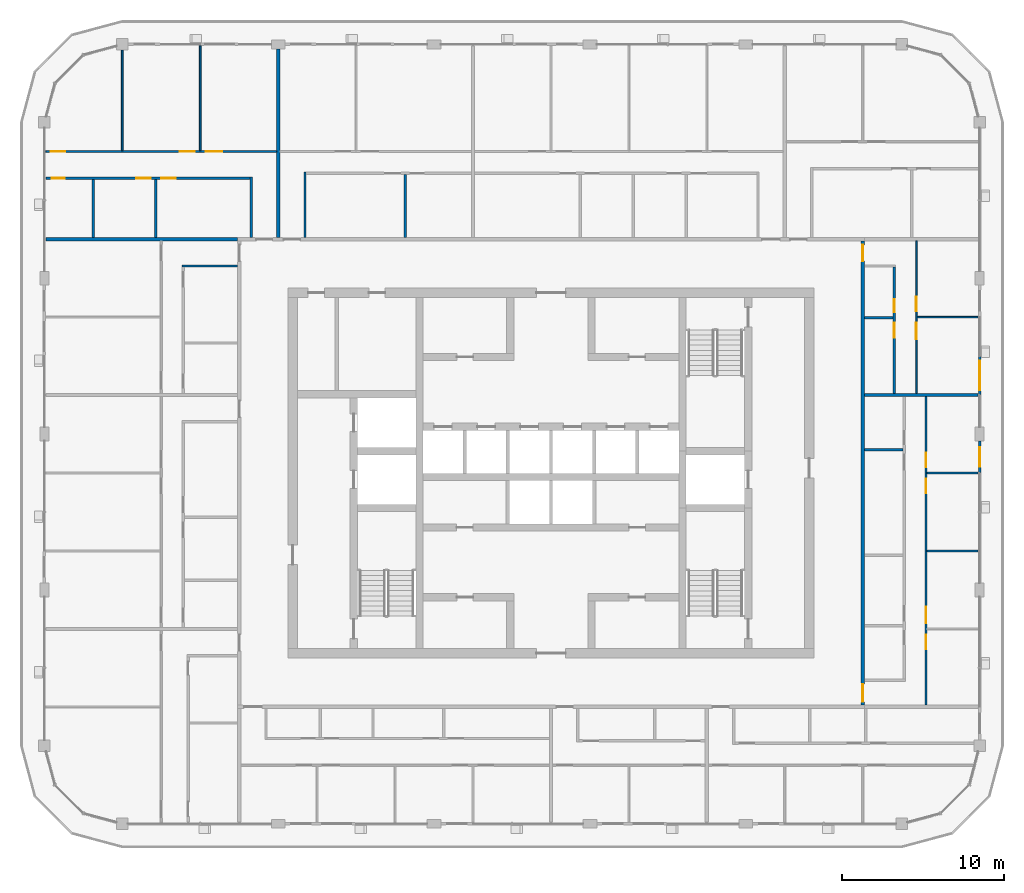
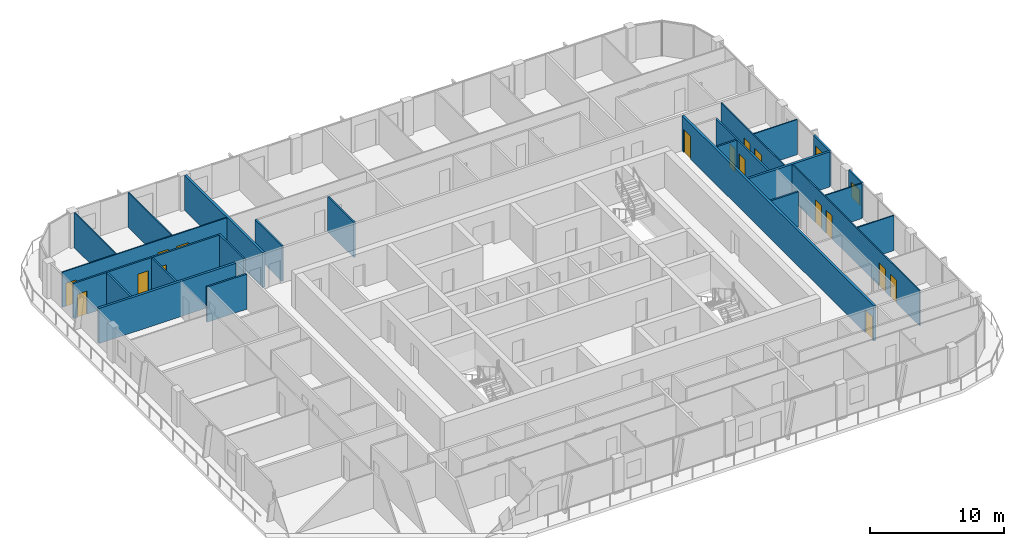
# One storey, part 13 of 21: 24 walls, 17 doors, 1 window, 18 openings.
"""IFC4 building model written with IfcOpenShell, lengths in metres."""

import ifcopenshell
import ifcopenshell.guid

model = None  # the IFC model being written
_history = None  # IfcOwnerHistory: only IFC2X3 demands one
_inside = {}  # id of a spatial element -> (the spatial element, [elements in it])
_under = {}  # id of a project, library or spatial element -> (it, [spatial elements below it])
_declared = {}  # id of a project -> (the project, [libraries it declares])
_typed = {}  # id of a type object -> (the type object, [elements of that type])
_made_of = {}  # id of a material, layer set ... -> (it, [elements and type objects made of it])


def new_model(schema):
    """Start an empty IFC model of exactly this schema.

    Asked for "IFC4X3", IfcOpenShell would pick the latest addendum, in which some entities
    have other attributes; the version numbers below select the first issue.
    IFC2X3 requires an IfcOwnerHistory on every rooted entity: one is made here for all.
    """
    global model, _history
    if schema == "IFC4X3":
        model = ifcopenshell.file(schema_version=(4, 3, 0, 0))
    else:
        model = ifcopenshell.file(schema=schema)
    _inside.clear()
    _under.clear()
    _declared.clear()
    _typed.clear()
    _made_of.clear()
    _history = None
    if model.schema == "IFC2X3":
        org = make("IfcOrganization", Name="unknown")
        user = make(
            "IfcPersonAndOrganization",
            ThePerson=make("IfcPerson", FamilyName="unknown"),
            TheOrganization=org,
        )
        app = make(
            "IfcApplication",
            ApplicationDeveloper=org,
            Version="unknown",
            ApplicationFullName="unknown",
            ApplicationIdentifier="unknown",
        )
        _history = make(
            "IfcOwnerHistory",
            OwningUser=user,
            OwningApplication=app,
            ChangeAction="ADDED",
            CreationDate=0,
        )
    return model


def make(cls, **values):
    """One entity of the class cls with the attributes given. An attribute that is None is left unset."""
    return model.create_entity(
        cls, **{name: value for name, value in values.items() if value is not None}
    )


def rooted(cls, **values):
    """An entity with a GlobalId (a new one), such as an element, a storey or a relation."""
    return make(cls, GlobalId=ifcopenshell.guid.new(), OwnerHistory=_history, **values)


def si_unit(unit_type, name, prefix=None):
    """IfcSIUnit, for example si_unit("LENGTHUNIT", "METRE", prefix="MILLI")."""
    return make("IfcSIUnit", UnitType=unit_type, Prefix=prefix, Name=name)


def assignment(units):
    """IfcUnitAssignment: the units of a project."""
    return None if units is None else make("IfcUnitAssignment", Units=units)


def point(xyz):
    """IfcCartesianPoint."""
    return None if xyz is None else make("IfcCartesianPoint", Coordinates=xyz)


def direction(xyz):
    """IfcDirection."""
    return None if xyz is None else make("IfcDirection", DirectionRatios=xyz)


def frame(location, z_axis=None, x_axis=None):
    """IfcAxis2Placement3D, a coordinate frame: its origin and axes. An axis left out is left unset."""
    return make(
        "IfcAxis2Placement3D",
        Location=point(location),
        Axis=direction(z_axis),
        RefDirection=direction(x_axis),
    )


def frame_2d(location, x_axis=None):
    """IfcAxis2Placement2D, a coordinate frame in the plane: its origin and x axis."""
    return make(
        "IfcAxis2Placement2D", Location=point(location), RefDirection=direction(x_axis)
    )


def origin():
    """The frame at (0, 0, 0) with its axes left unset."""
    return frame((0.0, 0.0, 0.0))


def place(relative_to, where):
    """IfcLocalPlacement: puts the frame where relative to a parent placement (None: the world)."""
    return make(
        "IfcLocalPlacement", PlacementRelTo=relative_to, RelativePlacement=where
    )


def context(
    kind, dimensions, precision=None, world=None, true_north=None, identifier=None
):
    """IfcGeometricRepresentationContext, for example the 3D "Model" context."""
    return make(
        "IfcGeometricRepresentationContext",
        ContextIdentifier=identifier,
        ContextType=kind,
        CoordinateSpaceDimension=dimensions,
        Precision=precision,
        WorldCoordinateSystem=world,
        TrueNorth=true_north,
    )


def subcontext(parent, identifier, kind, view, scale=None):
    """IfcGeometricRepresentationSubContext, for example "Body" below "Model"."""
    return make(
        "IfcGeometricRepresentationSubContext",
        ContextIdentifier=identifier,
        ContextType=kind,
        ParentContext=parent,
        TargetScale=scale,
        TargetView=view,
    )


def project(units=None, contexts=None):
    """IfcProject with its units and contexts."""
    return rooted(
        "IfcProject",
        Name="project",
        RepresentationContexts=contexts,
        UnitsInContext=assignment(units),
    )


def spatial(cls, under=None, at=None, **own):
    """A site, building, storey or space (cls), placed at a placement, below another one or the project."""
    s = rooted(cls, ObjectPlacement=at, **own)
    if under is not None:
        _under.setdefault(under.id(), (under, []))[1].append(s)
    return s


def profile(cls, at=None, kind="AREA", **sizes):
    """A parametric profile (cls). Its sizes go by their IFC names, for example OverallWidth=200.0."""
    return make(cls, ProfileType=kind, Position=at, **sizes)


def rectangle(**sizes):
    """IfcRectangleProfileDef."""
    return profile("IfcRectangleProfileDef", **sizes)


def extrude(swept, where, along, depth):
    """IfcExtrudedAreaSolid: the profile swept, set in the frame where, extruded along a direction by depth."""
    return make(
        "IfcExtrudedAreaSolid",
        SweptArea=swept,
        Position=where,
        ExtrudedDirection=direction(along),
        Depth=depth,
    )


def shape(context_of_items, identifier, shape_type, items):
    """IfcShapeRepresentation: the items that make up one representation, for example the "Body"."""
    return make(
        "IfcShapeRepresentation",
        ContextOfItems=context_of_items,
        RepresentationIdentifier=identifier,
        RepresentationType=shape_type,
        Items=items,
    )


def material(Name=None, Category=None):
    """IfcMaterial."""
    return make("IfcMaterial", Name=Name, Category=Category)


def layer(
    of_material, thickness, ventilated=None, Name=None, Category=None, Priority=None
):
    """IfcMaterialLayer: one layer of a wall or slab, of a material (None: an air gap)."""
    return make(
        "IfcMaterialLayer",
        Material=of_material,
        LayerThickness=thickness,
        IsVentilated=ventilated,
        Name=Name,
        Category=Category,
        Priority=Priority,
    )


def layer_set(layers, Name=None):
    """IfcMaterialLayerSet."""
    return make("IfcMaterialLayerSet", MaterialLayers=layers, LayerSetName=Name)


def made_of(thing, what):
    """Note that an element or type object is made of a material, layer set ...; save() writes the relation."""
    if what is not None:
        _made_of.setdefault(what.id(), (what, []))[1].append(thing)
    return thing


def type_object(cls, material=None, **own):
    """A type object (cls), such as IfcWallType, which elements share."""
    return made_of(rooted(cls, **own), material)


def element(
    cls,
    number,
    at=None,
    inside=None,
    cuts=None,
    type_object=None,
    material=None,
    context=None,
    identifier="Body",
    shape_type=None,
    held_by="IfcProductDefinitionShape",
    body=None,
    shapes=None,
    **own,
):
    """One element of the class cls, such as IfcWall. Its Tag is "e" and its number.

    at: its placement. inside: the storey or other place that contains it. cuts: it is an
    opening in that element (IfcRelVoidsElement). A single representation is given by context,
    identifier, shape_type and body (its items); several are given by shapes. held_by: the class
    of the entity that holds the representations. save() writes the other relations.
    """
    e = rooted(cls, Tag="e%d" % number, ObjectPlacement=at, **own)
    if body is not None:
        shapes = [shape(context, identifier, shape_type, body)]
    if shapes is not None:
        e.Representation = make(held_by, Representations=shapes)
    if inside is not None:
        _inside.setdefault(inside.id(), (inside, []))[1].append(e)
    if cuts is not None:
        rooted(
            "IfcRelVoidsElement", RelatingBuildingElement=cuts, RelatedOpeningElement=e
        )
    if type_object is not None:
        _typed.setdefault(type_object.id(), (type_object, []))[1].append(e)
    return made_of(e, material)


def fill(opening, filler):
    """IfcRelFillsElement: the door or window that sits in an opening."""
    return rooted(
        "IfcRelFillsElement",
        RelatingOpeningElement=opening,
        RelatedBuildingElement=filler,
    )


def aggregate(whole, parts):
    """IfcRelAggregates: a whole, such as a stair, and the parts it consists of."""
    return rooted("IfcRelAggregates", RelatingObject=whole, RelatedObjects=parts)


def save(model, path):
    """Write the relations noted so far, then the file.

    IfcRelAggregates (storeys below a building ...), IfcRelContainedInSpatialStructure (elements
    in a storey), IfcRelDefinesByType, IfcRelAssociatesMaterial and IfcRelDeclares: one each for
    every whole, place, type object, material and project.
    """
    for whole, parts in _under.values():
        aggregate(whole, parts)
    for where, things in _inside.values():
        rooted(
            "IfcRelContainedInSpatialStructure",
            RelatedElements=things,
            RelatingStructure=where,
        )
    for kind, things in _typed.values():
        rooted("IfcRelDefinesByType", RelatedObjects=things, RelatingType=kind)
    for what, things in _made_of.values():
        rooted("IfcRelAssociatesMaterial", RelatedObjects=things, RelatingMaterial=what)
    for by, libraries in _declared.values():
        rooted("IfcRelDeclares", RelatingContext=by, RelatedDefinitions=libraries)
    model.write(path)


model = new_model("IFC4")

# Units and contexts
model_context = context("Model", 3, precision=1e-05, world=origin(), true_north=direction((0.0, 1.0)))
body_context = subcontext(model_context, "Body", "Model", "MODEL_VIEW")
ifc_project = project(units=[si_unit("LENGTHUNIT", "METRE"), si_unit("AREAUNIT", "SQUARE_METRE"), si_unit("VOLUMEUNIT", "CUBIC_METRE"), si_unit("PLANEANGLEUNIT", "RADIAN"), si_unit("MASSUNIT", "GRAM", prefix="KILO")], contexts=[model_context])

# Site, building, storey
site_placement = place(None, origin())
site = spatial("IfcSite", under=ifc_project, at=site_placement, CompositionType="ELEMENT")
building_placement = place(site_placement, origin())
building = spatial("IfcBuilding", under=site, at=building_placement, Name="Madar Terraces", CompositionType="ELEMENT")
storey_placement = place(building_placement, frame((0.0, 0.0, 242.199951171875)))
storey = spatial("IfcBuildingStorey", under=building, at=storey_placement, Name="L63", CompositionType="ELEMENT", Elevation=242.199951171875)

# Wall, opening, window
ifc_material_1 = material(Name="Aluminium composite panel, black, over insulated backing", Category="aluminium")
ifc_layer_1 = layer(ifc_material_1, 0.14990234375)
ifc_layer_set_1 = layer_set([ifc_layer_1], Name="Facade bay panel 150")
wall_type_1 = type_object("IfcWallType", Name="Facade bay panel 150", PredefinedType="SOLIDWALL", material=ifc_layer_set_1)
wall_1_placement = place(storey_placement, frame((57.60009765625, 26.39990234375, 0.0), z_axis=(0.0, 0.0, 1.0), x_axis=(0.0, 1.0, 0.0)))
wall_1 = element("IfcWall", 1, at=wall_1_placement, inside=storey, type_object=wall_type_1, Name="Facade bay panel", PredefinedType="SOLIDWALL", context=body_context, shape_type="SweptSolid", body=[
    extrude(rectangle(XDim=1.97509765625, YDim=0.14990234375, at=frame_2d((0.987548828125, 0.0))), origin(), (0.0, 0.0, 1.0), 3.199951171875),
])
opening_1_placement = place(wall_1_placement, frame((0.387451171875, 0.0, 0.89990234375)))
opening_1 = element("IfcOpeningElement", 2, at=opening_1_placement, cuts=wall_1, Name="Opening W1", PredefinedType="OPENING", context=body_context, shape_type="SweptSolid", body=[
    extrude(rectangle(XDim=1.199951171875, YDim=1.39990234375, at=frame_2d((0.60009765625, 0.699951171875))), frame((0.0, 0.0849609375, 0.0), z_axis=(0.0, -1.0, 0.0), x_axis=(1.0, 0.0, 0.0)), (0.0, 0.0, 1.0), 0.169921875),
])
ifc_material_2 = material(Name="Glass, clear, with black aluminium frame", Category="aluminium")
window_type = type_object("IfcWindowType", Name="Vent window 1200 x 1400", PartitioningType="SINGLE_PANEL", PredefinedType="WINDOW", material=ifc_material_2)
window_placement = place(opening_1_placement, origin())
window = element("IfcWindow", 3, at=window_placement, inside=storey, type_object=window_type, Name="Operable vent window", OverallHeight=1.39990234375, OverallWidth=1.199951171875, PartitioningType="SINGLE_PANEL", PredefinedType="WINDOW", context=body_context, shape_type="SweptSolid", body=[
    extrude(rectangle(XDim=1.199951171875, YDim=1.39990234375, at=frame_2d((0.60009765625, 0.699951171875))), frame((0.0, 0.030029296875, 0.0), z_axis=(0.0, -1.0, 0.0), x_axis=(1.0, 0.0, 0.0)), (0.0, 0.0, 1.0), 0.06005859375),
])
fill(opening_1, window)

# Wall, opening, door
wall_2_placement = place(storey_placement, frame((57.60009765625, 31.199951171875, 0.0), z_axis=(0.0, 0.0, 1.0), x_axis=(0.0, 1.0, 0.0)))
wall_2 = element("IfcWall", 4, at=wall_2_placement, inside=storey, type_object=wall_type_1, Name="Facade bay panel", PredefinedType="SOLIDWALL", context=body_context, shape_type="SweptSolid", body=[
    extrude(rectangle(XDim=2.400146484375, YDim=0.14990234375, at=frame_2d((1.2001953125, 0.0))), origin(), (0.0, 0.0, 1.0), 3.199951171875),
])
opening_2_placement = place(wall_2_placement, frame((0.300048828125, 0.0, 0.0)))
opening_2 = element("IfcOpeningElement", 5, at=opening_2_placement, cuts=wall_2, Name="Opening ED1", PredefinedType="OPENING", context=body_context, shape_type="SweptSolid", body=[
    extrude(rectangle(XDim=1.800048828125, YDim=2.39990234375, at=frame_2d((0.89990234375, 1.199951171875))), frame((0.0, 0.0849609375, 0.0), z_axis=(0.0, -1.0, 0.0), x_axis=(1.0, 0.0, 0.0)), (0.0, 0.0, 1.0), 0.169921875),
])
ifc_material_3 = material(Name="Glass, clear, with black aluminium frame", Category="aluminium")
door_type_1 = type_object("IfcDoorType", Name="Balcony and terrace sliding door 1800 x 2400", OperationType="SLIDING_TO_LEFT", PredefinedType="DOOR", material=ifc_material_3)
door_1_placement = place(opening_2_placement, origin())
door_1 = element("IfcDoor", 6, at=door_1_placement, inside=storey, type_object=door_type_1, Name="Balcony door", OperationType="SLIDING_TO_LEFT", OverallHeight=2.39990234375, OverallWidth=1.800048828125, PredefinedType="DOOR", context=body_context, shape_type="SweptSolid", body=[
    extrude(rectangle(XDim=1.800048828125, YDim=2.39990234375, at=frame_2d((0.89990234375, 1.199951171875))), frame((0.0, 0.02490234375, 0.0), z_axis=(0.0, -1.0, 0.0), x_axis=(1.0, 0.0, 0.0)), (0.0, 0.0, 1.0), 0.050048828125),
])
fill(opening_2, door_1)

# Walls
ifc_material_4 = material(Name="Gypsum board on steel studs", Category="steel")
ifc_layer_2 = layer(ifc_material_4, 0.10009765625)
ifc_layer_set_2 = layer_set([ifc_layer_2], Name="Flat partition 100")
wall_type_2 = type_object("IfcWallType", Name="Flat partition 100", PredefinedType="PARTITIONING", material=ifc_layer_set_2)
for number, where, z_axis, x_axis, name in (
    (7, (54.35009765625, 21.60009765625, 0.0), (0.0, 0.0, 1.0), (1.0, 0.0, 0.0), "Flat partition 100"),
    (8, (54.35009765625, 26.39990234375, 0.0), (0.0, 0.0, 1.0), (1.0, 0.0, 0.0), "Flat partition 100"),
):
    element("IfcWall", number, at=place(storey_placement, frame(where, z_axis=z_axis, x_axis=x_axis)), inside=storey, type_object=wall_type_2, Name=name, PredefinedType="PARTITIONING", context=body_context, shape_type="SweptSolid", body=[
        extrude(rectangle(XDim=3.14990234375, YDim=0.10009765625, at=frame_2d((1.574951171875, 0.0))), origin(), (0.0, 0.0, 1.0), 3.199951171875),
    ])

# Wall, openings, doors
wall_3_placement = place(storey_placement, frame((54.300048828125, 31.10009765625, 0.0), z_axis=(0.0, 0.0, 1.0), x_axis=(0.0, -1.0, 0.0)))
wall_3 = element("IfcWall", 9, at=wall_3_placement, inside=storey, type_object=wall_type_2, Name="Flat partition 100", PredefinedType="PARTITIONING", context=body_context, shape_type="SweptSolid", body=[
    extrude(rectangle(XDim=19.0, YDim=0.10009765625, at=frame_2d((9.5, 0.0))), origin(), (0.0, 0.0, 1.0), 3.199951171875),
])
opening_3_placement = place(wall_3_placement, frame((14.64990234375, 0.0, 0.0)))
opening_3 = element("IfcOpeningElement", 10, at=opening_3_placement, cuts=wall_3, Name="Opening D2", PredefinedType="OPENING", context=body_context, shape_type="SweptSolid", body=[
    extrude(rectangle(XDim=0.89990234375, YDim=2.10009765625, at=frame_2d((0.449951171875, 1.050048828125))), frame((0.0, 0.06005859375, 0.0), z_axis=(0.0, -1.0, 0.0), x_axis=(1.0, 0.0, 0.0)), (0.0, 0.0, 1.0), 0.1201171875),
])
opening_4_placement = place(wall_3_placement, frame((12.949951171875, 0.0, 0.0)))
opening_4 = element("IfcOpeningElement", 11, at=opening_4_placement, cuts=wall_3, Name="Opening D3", PredefinedType="OPENING", context=body_context, shape_type="SweptSolid", body=[
    extrude(rectangle(XDim=1.0, YDim=2.10009765625, at=frame_2d((0.5, 1.050048828125))), frame((0.0, 0.06005859375, 0.0), z_axis=(0.0, -1.0, 0.0), x_axis=(1.0, 0.0, 0.0)), (0.0, 0.0, 1.0), 0.1201171875),
])
opening_5_placement = place(wall_3_placement, frame((5.050048828125, 0.0, 0.0)))
opening_5 = element("IfcOpeningElement", 12, at=opening_5_placement, cuts=wall_3, Name="Opening D2", PredefinedType="OPENING", context=body_context, shape_type="SweptSolid", body=[
    extrude(rectangle(XDim=0.89990234375, YDim=2.10009765625, at=frame_2d((0.449951171875, 1.050048828125))), frame((0.0, 0.06005859375, 0.0), z_axis=(0.0, -1.0, 0.0), x_axis=(1.0, 0.0, 0.0)), (0.0, 0.0, 1.0), 0.1201171875),
])
opening_6_placement = place(wall_3_placement, frame((3.449951171875, 0.0, 0.0)))
opening_6 = element("IfcOpeningElement", 13, at=opening_6_placement, cuts=wall_3, Name="Opening D2", PredefinedType="OPENING", context=body_context, shape_type="SweptSolid", body=[
    extrude(rectangle(XDim=0.89990234375, YDim=2.10009765625, at=frame_2d((0.449951171875, 1.050048828125))), frame((0.0, 0.06005859375, 0.0), z_axis=(0.0, -1.0, 0.0), x_axis=(1.0, 0.0, 0.0)), (0.0, 0.0, 1.0), 0.1201171875),
])
ifc_material_5 = material(Name="Timber door leaf", Category="wood")
door_type_2 = type_object("IfcDoorType", Name="Flat living room door 1000", OperationType="NOTDEFINED", PredefinedType="DOOR", material=ifc_material_5)
door_2_placement = place(opening_4_placement, origin())
door_2 = element("IfcDoor", 14, at=door_2_placement, inside=storey, type_object=door_type_2, Name="Flat living room door 1000", OperationType="SINGLE_SWING_RIGHT", OverallHeight=2.10009765625, OverallWidth=1.0, PredefinedType="DOOR", context=body_context, shape_type="SweptSolid", body=[
    extrude(rectangle(XDim=1.0, YDim=2.10009765625, at=frame_2d((0.5, 1.050048828125))), frame((0.0, 0.02490234375, 0.0), z_axis=(0.0, -1.0, 0.0), x_axis=(1.0, 0.0, 0.0)), (0.0, 0.0, 1.0), 0.050048828125),
])
fill(opening_4, door_2)
ifc_material_6 = material(Name="Timber door leaf", Category="wood")
door_type_3 = type_object("IfcDoorType", Name="Flat room door 900", OperationType="NOTDEFINED", PredefinedType="DOOR", material=ifc_material_6)
door_3_placement = place(opening_3_placement, origin())
door_3 = element("IfcDoor", 15, at=door_3_placement, inside=storey, type_object=door_type_3, Name="Flat room door 900", OperationType="SINGLE_SWING_LEFT", OverallHeight=2.10009765625, OverallWidth=0.89990234375, PredefinedType="DOOR", context=body_context, shape_type="SweptSolid", body=[
    extrude(rectangle(XDim=0.89990234375, YDim=2.10009765625, at=frame_2d((0.449951171875, 1.050048828125))), frame((0.0, 0.02490234375, 0.0), z_axis=(0.0, -1.0, 0.0), x_axis=(1.0, 0.0, 0.0)), (0.0, 0.0, 1.0), 0.050048828125),
])
fill(opening_3, door_3)
door_4_placement = place(opening_5_placement, origin())
door_4 = element("IfcDoor", 16, at=door_4_placement, inside=storey, type_object=door_type_3, Name="Flat room door 900", OperationType="SINGLE_SWING_LEFT", OverallHeight=2.10009765625, OverallWidth=0.89990234375, PredefinedType="DOOR", context=body_context, shape_type="SweptSolid", body=[
    extrude(rectangle(XDim=0.89990234375, YDim=2.10009765625, at=frame_2d((0.449951171875, 1.050048828125))), frame((0.0, 0.02490234375, 0.0), z_axis=(0.0, -1.0, 0.0), x_axis=(1.0, 0.0, 0.0)), (0.0, 0.0, 1.0), 0.050048828125),
])
fill(opening_5, door_4)
door_5_placement = place(opening_6_placement, origin())
door_5 = element("IfcDoor", 17, at=door_5_placement, inside=storey, type_object=door_type_3, Name="Flat room door 900", OperationType="SINGLE_SWING_RIGHT", OverallHeight=2.10009765625, OverallWidth=0.89990234375, PredefinedType="DOOR", context=body_context, shape_type="SweptSolid", body=[
    extrude(rectangle(XDim=0.89990234375, YDim=2.10009765625, at=frame_2d((0.449951171875, 1.050048828125))), frame((0.0, 0.02490234375, 0.0), z_axis=(0.0, -1.0, 0.0), x_axis=(1.0, 0.0, 0.0)), (0.0, 0.0, 1.0), 0.050048828125),
])
fill(opening_6, door_5)

# Wall
wall_4_placement = place(storey_placement, frame((53.75, 36.0, 0.0), z_axis=(0.0, 0.0, 1.0), x_axis=(1.0, 0.0, 0.0)))
element("IfcWall", 18, at=wall_4_placement, inside=storey, type_object=wall_type_2, Name="Flat partition 100", PredefinedType="PARTITIONING", context=body_context, shape_type="SweptSolid", body=[
    extrude(rectangle(XDim=3.75, YDim=0.10009765625, at=frame_2d((1.875, 0.0))), origin(), (0.0, 0.0, 1.0), 3.199951171875),
])

# Wall, openings, doors
wall_5_placement = place(storey_placement, frame((53.699951171875, 40.699951171875, 0.0), z_axis=(0.0, 0.0, 1.0), x_axis=(0.0, -1.0, 0.0)))
wall_5 = element("IfcWall", 19, at=wall_5_placement, inside=storey, type_object=wall_type_2, Name="Flat partition 100", PredefinedType="PARTITIONING", context=body_context, shape_type="SweptSolid", body=[
    extrude(rectangle(XDim=9.39990234375, YDim=0.10009765625, at=frame_2d((4.699951171875, 0.0))), origin(), (0.0, 0.0, 1.0), 3.199951171875),
])
opening_7_placement = place(wall_5_placement, frame((3.449951171875, 0.0, 0.0)))
opening_7 = element("IfcOpeningElement", 20, at=opening_7_placement, cuts=wall_5, Name="Opening D2", PredefinedType="OPENING", context=body_context, shape_type="SweptSolid", body=[
    extrude(rectangle(XDim=0.89990234375, YDim=2.10009765625, at=frame_2d((0.449951171875, 1.050048828125))), frame((0.0, 0.06005859375, 0.0), z_axis=(0.0, -1.0, 0.0), x_axis=(1.0, 0.0, 0.0)), (0.0, 0.0, 1.0), 0.1201171875),
])
opening_8_placement = place(wall_5_placement, frame((5.050048828125, 0.0, 0.0)))
opening_8 = element("IfcOpeningElement", 21, at=opening_8_placement, cuts=wall_5, Name="Opening D3", PredefinedType="OPENING", context=body_context, shape_type="SweptSolid", body=[
    extrude(rectangle(XDim=1.0, YDim=2.10009765625, at=frame_2d((0.5, 1.050048828125))), frame((0.0, 0.06005859375, 0.0), z_axis=(0.0, -1.0, 0.0), x_axis=(1.0, 0.0, 0.0)), (0.0, 0.0, 1.0), 0.1201171875),
])
door_6_placement = place(opening_8_placement, origin())
door_6 = element("IfcDoor", 22, at=door_6_placement, inside=storey, type_object=door_type_2, Name="Flat living room door 1000", OperationType="SINGLE_SWING_LEFT", OverallHeight=2.10009765625, OverallWidth=1.0, PredefinedType="DOOR", context=body_context, shape_type="SweptSolid", body=[
    extrude(rectangle(XDim=1.0, YDim=2.10009765625, at=frame_2d((0.5, 1.050048828125))), frame((0.0, 0.02490234375, 0.0), z_axis=(0.0, -1.0, 0.0), x_axis=(1.0, 0.0, 0.0)), (0.0, 0.0, 1.0), 0.050048828125),
])
fill(opening_8, door_6)
door_7_placement = place(opening_7_placement, origin())
door_7 = element("IfcDoor", 23, at=door_7_placement, inside=storey, type_object=door_type_3, Name="Flat room door 900", OperationType="SINGLE_SWING_RIGHT", OverallHeight=2.10009765625, OverallWidth=0.89990234375, PredefinedType="DOOR", context=body_context, shape_type="SweptSolid", body=[
    extrude(rectangle(XDim=0.89990234375, YDim=2.10009765625, at=frame_2d((0.449951171875, 1.050048828125))), frame((0.0, 0.02490234375, 0.0), z_axis=(0.0, -1.0, 0.0), x_axis=(1.0, 0.0, 0.0)), (0.0, 0.0, 1.0), 0.050048828125),
])
fill(opening_7, door_7)

# Walls
wall_6_placement = place(storey_placement, frame((9.60009765625, 46.25, 0.0), z_axis=(0.0, 0.0, 1.0), x_axis=(0.0, 1.0, 0.0)))
element("IfcWall", 24, at=wall_6_placement, inside=storey, type_object=wall_type_2, Name="Flat partition 100", PredefinedType="PARTITIONING", context=body_context, shape_type="SweptSolid", body=[
    extrude(rectangle(XDim=6.449951171875, YDim=0.10009765625, at=frame_2d((3.22509765625, 0.0))), origin(), (0.0, 0.0, 1.0), 3.199951171875),
])
wall_7_placement = place(storey_placement, frame((4.800048828125, 46.25, 0.0), z_axis=(0.0, 0.0, 1.0), x_axis=(0.0, 1.0, 0.0)))
element("IfcWall", 25, at=wall_7_placement, inside=storey, type_object=wall_type_2, Name="Flat partition 100", PredefinedType="PARTITIONING", context=body_context, shape_type="SweptSolid", body=[
    extrude(rectangle(XDim=6.199951171875, YDim=0.10009765625, at=frame_2d((3.10009765625, 0.0))), origin(), (0.0, 0.0, 1.0), 3.199951171875),
])

# Wall, openings, doors
wall_8_placement = place(storey_placement, frame((0.10009765625, 46.199951171875, 0.0), z_axis=(0.0, 0.0, 1.0), x_axis=(1.0, 0.0, 0.0)))
wall_8 = element("IfcWall", 26, at=wall_8_placement, inside=storey, type_object=wall_type_2, Name="Flat partition 100", PredefinedType="PARTITIONING", context=body_context, shape_type="SweptSolid", body=[
    extrude(rectangle(XDim=14.199951171875, YDim=0.10009765625, at=frame_2d((7.10009765625, 0.0))), origin(), (0.0, 0.0, 1.0), 3.199951171875),
])
opening_9_placement = place(wall_8_placement, frame((9.85009765625, 0.0, 0.0)))
opening_9 = element("IfcOpeningElement", 27, at=opening_9_placement, cuts=wall_8, Name="Opening D3", PredefinedType="OPENING", context=body_context, shape_type="SweptSolid", body=[
    extrude(rectangle(XDim=1.0, YDim=2.10009765625, at=frame_2d((0.5, 1.050048828125))), frame((0.0, 0.06005859375, 0.0), z_axis=(0.0, -1.0, 0.0), x_axis=(1.0, 0.0, 0.0)), (0.0, 0.0, 1.0), 0.1201171875),
])
opening_10_placement = place(wall_8_placement, frame((8.25, 0.0, 0.0)))
opening_10 = element("IfcOpeningElement", 28, at=opening_10_placement, cuts=wall_8, Name="Opening D2", PredefinedType="OPENING", context=body_context, shape_type="SweptSolid", body=[
    extrude(rectangle(XDim=0.89990234375, YDim=2.10009765625, at=frame_2d((0.449951171875, 1.050048828125))), frame((0.0, 0.06005859375, 0.0), z_axis=(0.0, -1.0, 0.0), x_axis=(1.0, 0.0, 0.0)), (0.0, 0.0, 1.0), 0.1201171875),
])
opening_11_placement = place(wall_8_placement, frame((0.300048828125, 0.0, 0.0)))
opening_11 = element("IfcOpeningElement", 29, at=opening_11_placement, cuts=wall_8, Name="Opening D2", PredefinedType="OPENING", context=body_context, shape_type="SweptSolid", body=[
    extrude(rectangle(XDim=0.89990234375, YDim=2.10009765625, at=frame_2d((0.449951171875, 1.050048828125))), frame((0.0, 0.06005859375, 0.0), z_axis=(0.0, -1.0, 0.0), x_axis=(1.0, 0.0, 0.0)), (0.0, 0.0, 1.0), 0.1201171875),
])
door_8_placement = place(opening_9_placement, origin())
door_8 = element("IfcDoor", 30, at=door_8_placement, inside=storey, type_object=door_type_2, Name="Flat living room door 1000", OperationType="SINGLE_SWING_LEFT", OverallHeight=2.10009765625, OverallWidth=1.0, PredefinedType="DOOR", context=body_context, shape_type="SweptSolid", body=[
    extrude(rectangle(XDim=1.0, YDim=2.10009765625, at=frame_2d((0.5, 1.050048828125))), frame((0.0, 0.02490234375, 0.0), z_axis=(0.0, -1.0, 0.0), x_axis=(1.0, 0.0, 0.0)), (0.0, 0.0, 1.0), 0.050048828125),
])
fill(opening_9, door_8)
door_9_placement = place(opening_10_placement, origin())
door_9 = element("IfcDoor", 31, at=door_9_placement, inside=storey, type_object=door_type_3, Name="Flat room door 900", OperationType="SINGLE_SWING_RIGHT", OverallHeight=2.10009765625, OverallWidth=0.89990234375, PredefinedType="DOOR", context=body_context, shape_type="SweptSolid", body=[
    extrude(rectangle(XDim=0.89990234375, YDim=2.10009765625, at=frame_2d((0.449951171875, 1.050048828125))), frame((0.0, 0.02490234375, 0.0), z_axis=(0.0, -1.0, 0.0), x_axis=(1.0, 0.0, 0.0)), (0.0, 0.0, 1.0), 0.050048828125),
])
fill(opening_10, door_9)
door_10_placement = place(opening_11_placement, origin())
door_10 = element("IfcDoor", 32, at=door_10_placement, inside=storey, type_object=door_type_3, Name="Flat room door 900", OperationType="SINGLE_SWING_LEFT", OverallHeight=2.10009765625, OverallWidth=0.89990234375, PredefinedType="DOOR", context=body_context, shape_type="SweptSolid", body=[
    extrude(rectangle(XDim=0.89990234375, YDim=2.10009765625, at=frame_2d((0.449951171875, 1.050048828125))), frame((0.0, 0.02490234375, 0.0), z_axis=(0.0, -1.0, 0.0), x_axis=(1.0, 0.0, 0.0)), (0.0, 0.0, 1.0), 0.050048828125),
])
fill(opening_11, door_10)

ifc_material_7 = material(Name="Lightweight blockwork", Category="masonry")
ifc_layer_3 = layer(ifc_material_7, 0.199951171875)
ifc_layer_set_3 = layer_set([ifc_layer_3], Name="Flat party and entrance wall 200")
wall_type_3 = type_object("IfcWallType", Name="Flat party and entrance wall 200", PredefinedType="PARTITIONING", material=ifc_layer_set_3)
wall_9_placement = place(storey_placement, frame((50.39990234375, 40.699951171875, 0.0), z_axis=(0.0, 0.0, 1.0), x_axis=(0.0, -1.0, 0.0)))
wall_9 = element("IfcWall", 33, at=wall_9_placement, inside=storey, type_object=wall_type_3, Name="Flat party and entrance wall 200", PredefinedType="PARTITIONING", context=body_context, shape_type="SweptSolid", body=[
    extrude(rectangle(XDim=28.599853515625, YDim=0.199951171875, at=frame_2d((14.2998046875, 0.0))), origin(), (0.0, 0.0, 1.0), 3.199951171875),
])
opening_12_placement = place(wall_9_placement, frame((27.300048828125, 0.0, 0.0)))
opening_12 = element("IfcOpeningElement", 34, at=opening_12_placement, cuts=wall_9, Name="Opening D6", PredefinedType="OPENING", context=body_context, shape_type="SweptSolid", body=[
    extrude(rectangle(XDim=1.10009765625, YDim=2.10009765625, at=frame_2d((0.550048828125, 1.050048828125))), frame((0.0, 0.10986328125, 0.0), z_axis=(0.0, -1.0, 0.0), x_axis=(1.0, 0.0, 0.0)), (0.0, 0.0, 1.0), 0.219970703125),
])
opening_13_placement = place(wall_9_placement, frame((0.25, 0.0, 0.0)))
opening_13 = element("IfcOpeningElement", 35, at=opening_13_placement, cuts=wall_9, Name="Opening D1", PredefinedType="OPENING", context=body_context, shape_type="SweptSolid", body=[
    extrude(rectangle(XDim=1.0, YDim=2.10009765625, at=frame_2d((0.5, 1.050048828125))), frame((0.0, 0.10986328125, 0.0), z_axis=(0.0, -1.0, 0.0), x_axis=(1.0, 0.0, 0.0)), (0.0, 0.0, 1.0), 0.219970703125),
])
ifc_material_8 = material(Name="Timber fire door leaf", Category="wood")
door_type_4 = type_object("IfcDoorType", Name="Flat entrance door 1000 FD30S", OperationType="NOTDEFINED", PredefinedType="DOOR", material=ifc_material_8)
door_11_placement = place(opening_13_placement, origin())
door_11 = element("IfcDoor", 36, at=door_11_placement, inside=storey, type_object=door_type_4, Name="Flat entrance door 1000 FD30S", OperationType="SINGLE_SWING_LEFT", OverallHeight=2.10009765625, OverallWidth=1.0, PredefinedType="DOOR", context=body_context, shape_type="SweptSolid", body=[
    extrude(rectangle(XDim=1.0, YDim=2.10009765625, at=frame_2d((0.5, 1.050048828125))), frame((0.0, 0.02490234375, 0.0), z_axis=(0.0, -1.0, 0.0), x_axis=(1.0, 0.0, 0.0)), (0.0, 0.0, 1.0), 0.050048828125),
])
fill(opening_13, door_11)
ifc_material_9 = material(Name="Timber fire door leaf", Category="wood")
door_type_5 = type_object("IfcDoorType", Name="Flat entrance door 1100 FD30S", OperationType="NOTDEFINED", PredefinedType="DOOR", material=ifc_material_9)
door_12_placement = place(opening_12_placement, origin())
door_12 = element("IfcDoor", 37, at=door_12_placement, inside=storey, type_object=door_type_5, Name="Flat entrance door 1100 FD30S", OperationType="SINGLE_SWING_RIGHT", OverallHeight=2.10009765625, OverallWidth=1.10009765625, PredefinedType="DOOR", context=body_context, shape_type="SweptSolid", body=[
    extrude(rectangle(XDim=1.10009765625, YDim=2.10009765625, at=frame_2d((0.550048828125, 1.050048828125))), frame((0.0, 0.02490234375, 0.0), z_axis=(0.0, -1.0, 0.0), x_axis=(1.0, 0.0, 0.0)), (0.0, 0.0, 1.0), 0.050048828125),
])
fill(opening_12, door_12)

# Walls
wall_10_placement = place(storey_placement, frame((50.5, 31.199951171875, 0.0), z_axis=(0.0, 0.0, 1.0), x_axis=(1.0, 0.0, 0.0)))
element("IfcWall", 38, at=wall_10_placement, inside=storey, type_object=wall_type_3, Name="Flat party and entrance wall 200", PredefinedType="PARTITIONING", context=body_context, shape_type="SweptSolid", body=[
    extrude(rectangle(XDim=7.0, YDim=0.199951171875, at=frame_2d((3.5, 0.0))), origin(), (0.0, 0.0, 1.0), 3.199951171875),
])
wall_11_placement = place(storey_placement, frame((14.39990234375, 52.52490234375, 0.0), z_axis=(0.0, 0.0, 1.0), x_axis=(0.0, -1.0, 0.0)))
element("IfcWall", 39, at=wall_11_placement, inside=storey, type_object=wall_type_3, Name="Flat party and entrance wall 200", PredefinedType="PARTITIONING", context=body_context, shape_type="SweptSolid", body=[
    extrude(rectangle(XDim=11.625, YDim=0.199951171875, at=frame_2d((5.8125, 0.0))), origin(), (0.0, 0.0, 1.0), 3.199951171875),
])
wall_12_placement = place(storey_placement, frame((0.10009765625, 40.800048828125, 0.0), z_axis=(0.0, 0.0, 1.0), x_axis=(1.0, 0.0, 0.0)))
element("IfcWall", 40, at=wall_12_placement, inside=storey, type_object=wall_type_3, Name="Flat party and entrance wall 200", PredefinedType="PARTITIONING", context=body_context, shape_type="SweptSolid", body=[
    extrude(rectangle(XDim=11.7998046875, YDim=0.199951171875, at=frame_2d((5.89990234375, 0.0))), origin(), (0.0, 0.0, 1.0), 3.199951171875),
])
ifc_material_10 = material(Name="Lightweight blockwork", Category="masonry")
ifc_layer_4 = layer(ifc_material_10, 0.14990234375)
ifc_layer_set_4 = layer_set([ifc_layer_4], Name="Flat wet-room partition 150")
wall_type_4 = type_object("IfcWallType", Name="Flat wet-room partition 150", PredefinedType="PARTITIONING", material=ifc_layer_set_4)
wall_13_placement = place(storey_placement, frame((50.5, 27.84228515625, 0.0), z_axis=(0.0, 0.0, 1.0), x_axis=(1.0, 0.0, 0.0)))
element("IfcWall", 41, at=wall_13_placement, inside=storey, type_object=wall_type_4, Name="Flat wet-room partition 150", PredefinedType="PARTITIONING", context=body_context, shape_type="SweptSolid", body=[
    extrude(rectangle(XDim=2.375, YDim=0.14990234375, at=frame_2d((1.1875, 0.0))), origin(), (0.0, 0.0, 1.0), 3.199951171875),
])
wall_14_placement = place(storey_placement, frame((50.5, 35.965087890625, 0.0), z_axis=(0.0, 0.0, 1.0), x_axis=(1.0, 0.0, 0.0)))
element("IfcWall", 42, at=wall_14_placement, inside=storey, type_object=wall_type_4, Name="Flat wet-room partition 150", PredefinedType="PARTITIONING", context=body_context, shape_type="SweptSolid", body=[
    extrude(rectangle(XDim=1.77490234375, YDim=0.14990234375, at=frame_2d((0.887451171875, 0.0))), origin(), (0.0, 0.0, 1.0), 3.199951171875),
])

# Wall, openings, doors
wall_15_placement = place(storey_placement, frame((52.35009765625, 31.300048828125, 0.0), z_axis=(0.0, 0.0, 1.0), x_axis=(0.0, 1.0, 0.0)))
wall_15 = element("IfcWall", 43, at=wall_15_placement, inside=storey, type_object=wall_type_4, Name="Flat wet-room partition 150", PredefinedType="PARTITIONING", context=body_context, shape_type="SweptSolid", body=[
    extrude(rectangle(XDim=7.77490234375, YDim=0.14990234375, at=frame_2d((3.887451171875, 0.0))), origin(), (0.0, 0.0, 1.0), 3.199951171875),
])
opening_14_placement = place(wall_15_placement, frame((4.989990234375, 0.0, 0.0)))
opening_14 = element("IfcOpeningElement", 44, at=opening_14_placement, cuts=wall_15, Name="Opening D4", PredefinedType="OPENING", context=body_context, shape_type="SweptSolid", body=[
    extrude(rectangle(XDim=0.800048828125, YDim=2.10009765625, at=frame_2d((0.39990234375, 1.050048828125))), frame((0.0, 0.0849609375, 0.0), z_axis=(0.0, -1.0, 0.0), x_axis=(1.0, 0.0, 0.0)), (0.0, 0.0, 1.0), 0.169921875),
])
opening_15_placement = place(wall_15_placement, frame((3.43994140625, 0.0, 0.0)))
opening_15 = element("IfcOpeningElement", 45, at=opening_15_placement, cuts=wall_15, Name="Opening D2", PredefinedType="OPENING", context=body_context, shape_type="SweptSolid", body=[
    extrude(rectangle(XDim=0.89990234375, YDim=2.10009765625, at=frame_2d((0.449951171875, 1.050048828125))), frame((0.0, 0.0849609375, 0.0), z_axis=(0.0, -1.0, 0.0), x_axis=(1.0, 0.0, 0.0)), (0.0, 0.0, 1.0), 0.169921875),
])
ifc_material_11 = material(Name="Timber door leaf", Category="wood")
door_type_6 = type_object("IfcDoorType", Name="Flat bathroom door 800", OperationType="NOTDEFINED", PredefinedType="DOOR", material=ifc_material_11)
door_13_placement = place(opening_14_placement, origin())
door_13 = element("IfcDoor", 46, at=door_13_placement, inside=storey, type_object=door_type_6, Name="Flat bathroom door 800", OperationType="SINGLE_SWING_LEFT", OverallHeight=2.10009765625, OverallWidth=0.800048828125, PredefinedType="DOOR", context=body_context, shape_type="SweptSolid", body=[
    extrude(rectangle(XDim=0.800048828125, YDim=2.10009765625, at=frame_2d((0.39990234375, 1.050048828125))), frame((0.0, 0.02490234375, 0.0), z_axis=(0.0, -1.0, 0.0), x_axis=(1.0, 0.0, 0.0)), (0.0, 0.0, 1.0), 0.050048828125),
])
fill(opening_14, door_13)
door_14_placement = place(opening_15_placement, origin())
door_14 = element("IfcDoor", 47, at=door_14_placement, inside=storey, type_object=door_type_3, Name="Flat room door 900", OperationType="SINGLE_SWING_RIGHT", OverallHeight=2.10009765625, OverallWidth=0.89990234375, PredefinedType="DOOR", context=body_context, shape_type="SweptSolid", body=[
    extrude(rectangle(XDim=0.89990234375, YDim=2.10009765625, at=frame_2d((0.449951171875, 1.050048828125))), frame((0.0, 0.02490234375, 0.0), z_axis=(0.0, -1.0, 0.0), x_axis=(1.0, 0.0, 0.0)), (0.0, 0.0, 1.0), 0.050048828125),
])
fill(opening_15, door_14)

# Walls
wall_16_placement = place(storey_placement, frame((22.22998046875, 40.89990234375, 0.0), z_axis=(0.0, 0.0, 1.0), x_axis=(0.0, 1.0, 0.0)))
element("IfcWall", 48, at=wall_16_placement, inside=storey, type_object=wall_type_4, Name="Flat wet-room partition 150", PredefinedType="PARTITIONING", context=body_context, shape_type="SweptSolid", body=[
    extrude(rectangle(XDim=3.875, YDim=0.14990234375, at=frame_2d((1.9375, 0.0))), origin(), (0.0, 0.0, 1.0), 3.199951171875),
])
wall_17_placement = place(storey_placement, frame((16.050048828125, 40.89990234375, 0.0), z_axis=(0.0, 0.0, 1.0), x_axis=(0.0, 1.0, 0.0)))
element("IfcWall", 49, at=wall_17_placement, inside=storey, type_object=wall_type_4, Name="Flat wet-room partition 150", PredefinedType="PARTITIONING", context=body_context, shape_type="SweptSolid", body=[
    extrude(rectangle(XDim=4.025146484375, YDim=0.14990234375, at=frame_2d((2.0126953125, 0.0))), origin(), (0.0, 0.0, 1.0), 3.199951171875),
])
for number, where, z_axis, x_axis, name in (
    (50, (6.87109375, 40.89990234375, 0.0), (0.0, 0.0, 1.0), (0.0, 1.0, 0.0), "Flat wet-room partition 150"),
    (51, (3.001953125, 40.89990234375, 0.0), (0.0, 0.0, 1.0), (0.0, 1.0, 0.0), "Flat wet-room partition 150"),
):
    element("IfcWall", number, at=place(storey_placement, frame(where, z_axis=z_axis, x_axis=x_axis)), inside=storey, type_object=wall_type_4, Name=name, PredefinedType="PARTITIONING", context=body_context, shape_type="SweptSolid", body=[
        extrude(rectangle(XDim=3.5751953125, YDim=0.14990234375, at=frame_2d((1.78759765625, 0.0))), origin(), (0.0, 0.0, 1.0), 3.199951171875),
    ])
wall_18_placement = place(storey_placement, frame((12.75, 40.89990234375, 0.0), z_axis=(0.0, 0.0, 1.0), x_axis=(0.0, 1.0, 0.0)))
element("IfcWall", 52, at=wall_18_placement, inside=storey, type_object=wall_type_4, Name="Flat wet-room partition 150", PredefinedType="PARTITIONING", context=body_context, shape_type="SweptSolid", body=[
    extrude(rectangle(XDim=3.72509765625, YDim=0.14990234375, at=frame_2d((1.862548828125, 0.0))), origin(), (0.0, 0.0, 1.0), 3.199951171875),
])

# Wall, openings, doors
wall_19_placement = place(storey_placement, frame((12.675048828125, 44.550048828125, 0.0), z_axis=(0.0, 0.0, 1.0), x_axis=(-1.0, 0.0, 0.0)))
wall_19 = element("IfcWall", 53, at=wall_19_placement, inside=storey, type_object=wall_type_4, Name="Flat wet-room partition 150", PredefinedType="PARTITIONING", context=body_context, shape_type="SweptSolid", body=[
    extrude(rectangle(XDim=12.574951171875, YDim=0.14990234375, at=frame_2d((6.28759765625, 0.0))), origin(), (0.0, 0.0, 1.0), 3.199951171875),
])
opening_16_placement = place(wall_19_placement, frame((4.578857421875, 0.0, 0.0)))
opening_16 = element("IfcOpeningElement", 54, at=opening_16_placement, cuts=wall_19, Name="Opening D2", PredefinedType="OPENING", context=body_context, shape_type="SweptSolid", body=[
    extrude(rectangle(XDim=0.89990234375, YDim=2.10009765625, at=frame_2d((0.449951171875, 1.050048828125))), frame((0.0, 0.0849609375, 0.0), z_axis=(0.0, -1.0, 0.0), x_axis=(1.0, 0.0, 0.0)), (0.0, 0.0, 1.0), 0.169921875),
])
opening_17_placement = place(wall_19_placement, frame((6.12890625, 0.0, 0.0)))
opening_17 = element("IfcOpeningElement", 55, at=opening_17_placement, cuts=wall_19, Name="Opening D5", PredefinedType="OPENING", context=body_context, shape_type="SweptSolid", body=[
    extrude(rectangle(XDim=0.89990234375, YDim=2.10009765625, at=frame_2d((0.449951171875, 1.050048828125))), frame((0.0, 0.0849609375, 0.0), z_axis=(0.0, -1.0, 0.0), x_axis=(1.0, 0.0, 0.0)), (0.0, 0.0, 1.0), 0.169921875),
])
opening_18_placement = place(wall_19_placement, frame((11.425048828125, 0.0, 0.0)))
opening_18 = element("IfcOpeningElement", 56, at=opening_18_placement, cuts=wall_19, Name="Opening D4", PredefinedType="OPENING", context=body_context, shape_type="SweptSolid", body=[
    extrude(rectangle(XDim=0.800048828125, YDim=2.10009765625, at=frame_2d((0.39990234375, 1.050048828125))), frame((0.0, 0.0849609375, 0.0), z_axis=(0.0, -1.0, 0.0), x_axis=(1.0, 0.0, 0.0)), (0.0, 0.0, 1.0), 0.169921875),
])
ifc_material_12 = material(Name="Timber door leaf", Category="wood")
door_type_7 = type_object("IfcDoorType", Name="Flat accessible bathroom door 900", OperationType="NOTDEFINED", PredefinedType="DOOR", material=ifc_material_12)
door_15_placement = place(opening_17_placement, origin())
door_15 = element("IfcDoor", 57, at=door_15_placement, inside=storey, type_object=door_type_7, Name="Flat accessible bathroom door 900", OperationType="SINGLE_SWING_LEFT", OverallHeight=2.10009765625, OverallWidth=0.89990234375, PredefinedType="DOOR", context=body_context, shape_type="SweptSolid", body=[
    extrude(rectangle(XDim=0.89990234375, YDim=2.10009765625, at=frame_2d((0.449951171875, 1.050048828125))), frame((0.0, 0.02490234375, 0.0), z_axis=(0.0, -1.0, 0.0), x_axis=(1.0, 0.0, 0.0)), (0.0, 0.0, 1.0), 0.050048828125),
])
fill(opening_17, door_15)
door_16_placement = place(opening_18_placement, origin())
door_16 = element("IfcDoor", 58, at=door_16_placement, inside=storey, type_object=door_type_6, Name="Flat bathroom door 800", OperationType="SINGLE_SWING_RIGHT", OverallHeight=2.10009765625, OverallWidth=0.800048828125, PredefinedType="DOOR", context=body_context, shape_type="SweptSolid", body=[
    extrude(rectangle(XDim=0.800048828125, YDim=2.10009765625, at=frame_2d((0.39990234375, 1.050048828125))), frame((0.0, 0.02490234375, 0.0), z_axis=(0.0, -1.0, 0.0), x_axis=(1.0, 0.0, 0.0)), (0.0, 0.0, 1.0), 0.050048828125),
])
fill(opening_18, door_16)
door_17_placement = place(opening_16_placement, origin())
door_17 = element("IfcDoor", 59, at=door_17_placement, inside=storey, type_object=door_type_3, Name="Flat room door 900", OperationType="SINGLE_SWING_RIGHT", OverallHeight=2.10009765625, OverallWidth=0.89990234375, PredefinedType="DOOR", context=body_context, shape_type="SweptSolid", body=[
    extrude(rectangle(XDim=0.89990234375, YDim=2.10009765625, at=frame_2d((0.449951171875, 1.050048828125))), frame((0.0, 0.02490234375, 0.0), z_axis=(0.0, -1.0, 0.0), x_axis=(1.0, 0.0, 0.0)), (0.0, 0.0, 1.0), 0.050048828125),
])
fill(opening_16, door_17)

# Wall
wall_20_placement = place(storey_placement, frame((11.89990234375, 39.14990234375, 0.0), z_axis=(0.0, 0.0, 1.0), x_axis=(-1.0, 0.0, 0.0)))
element("IfcWall", 60, at=wall_20_placement, inside=storey, type_object=wall_type_4, Name="Flat wet-room partition 150", PredefinedType="PARTITIONING", context=body_context, shape_type="SweptSolid", body=[
    extrude(rectangle(XDim=3.4248046875, YDim=0.14990234375, at=frame_2d((1.71240234375, 0.0))), origin(), (0.0, 0.0, 1.0), 3.199951171875),
])

save(model, "model.ifc")
